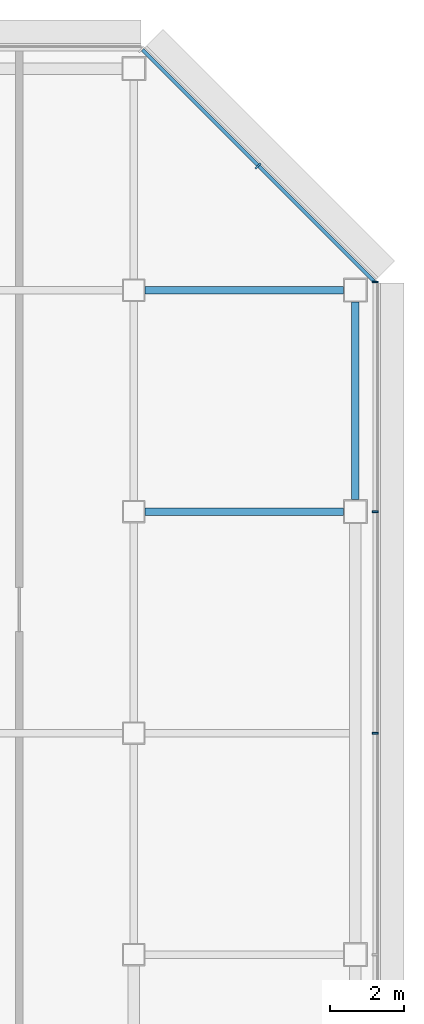
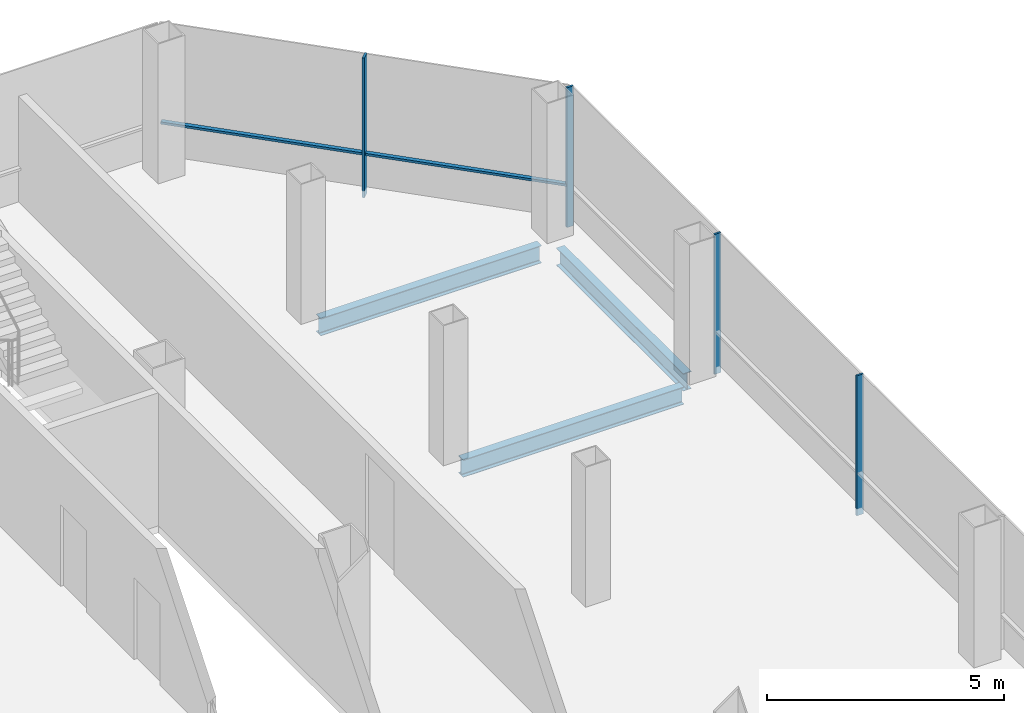
# One storey, part 18 of 26: 5 members, 3 beams, 2 elements without a shape of their own.
"""IFC4 building model written with IfcOpenShell, lengths in metres."""

from ifc_helpers import new_model, si_unit, direction, frame, origin, origin_2d, place, context, subcontext, project, spatial, rectangle, i_section, extrude, material, material_profile, profile_set, type_object, element, aggregate, save


model = new_model("IFC4")

# Units and contexts
model_context = context("Model", 3, precision=1e-05, world=origin(), true_north=direction((0.0, 1.0)))
body_context = subcontext(model_context, "Body", "Model", "MODEL_VIEW")
ifc_project = project(units=[si_unit("LENGTHUNIT", "METRE"), si_unit("AREAUNIT", "SQUARE_METRE"), si_unit("VOLUMEUNIT", "CUBIC_METRE"), si_unit("PLANEANGLEUNIT", "RADIAN"), si_unit("MASSUNIT", "GRAM", prefix="KILO")], contexts=[model_context])

# Site, building, storey
site_placement = place(None, origin())
site = spatial("IfcSite", under=ifc_project, at=site_placement, CompositionType="ELEMENT")
building_placement = place(site_placement, origin())
building = spatial("IfcBuilding", under=site, at=building_placement, Name="Sorahane Residences", CompositionType="ELEMENT")
storey_placement = place(building_placement, frame((0.0, 0.0, 219.0)))
storey = spatial("IfcBuildingStorey", under=building, at=storey_placement, Name="L51", CompositionType="ELEMENT", Elevation=219.0)

# Curtain wall, members
ifc_material_1 = material(Name="Dark low-e glass and black anodised aluminium", Category="aluminium")
curtain_wall_type_1 = type_object("IfcCurtainWallType", Name="Curtain wall CW-1 Typical unitised wall", PredefinedType="NOTDEFINED", material=ifc_material_1)
curtain_wall_1_placement = place(storey_placement, origin())
curtain_wall_1 = element("IfcCurtainWall", 1, at=curtain_wall_1_placement, inside=storey, type_object=curtain_wall_type_1, Name="CW-1 curtain wall L51 E1", PredefinedType="NOTDEFINED")
ifc_material_2 = material(Name="Black anodised aluminium", Category="aluminium")
ifc_material_profile_1 = material_profile(ifc_material_2, rectangle(XDim=0.159912109375, YDim=0.050048828125, at=origin_2d()), Name="Curtain wall mullion CW-1 black anodised aluminium 50x160")
ifc_profile_set_1 = profile_set([ifc_material_profile_1], Name="Black anodised aluminium")
member_type_1 = type_object("IfcMemberType", Name="Curtain wall mullion CW-1 black anodised aluminium 50x160", PredefinedType="MULLION", material=ifc_profile_set_1)
member_1_placement = place(storey_placement, frame((54.5400390625, 30.0, -0.179931640625), z_axis=(0.0, 0.0, 1.0), x_axis=(1.0, 0.0, 0.0)))
member_1 = element("IfcMember", 2, at=member_1_placement, type_object=member_type_1, Name="CW-1 mullion L51 E1.5", PredefinedType="MULLION", context=body_context, shape_type="SweptSolid", body=[
    extrude(rectangle(XDim=0.159912109375, YDim=0.050048828125, at=origin_2d()), origin(), (0.0, 0.0, 1.0), 3.599853515625),
])
member_2_placement = place(storey_placement, frame((54.5400390625, 36.0, -0.179931640625), z_axis=(0.0, 0.0, 1.0), x_axis=(1.0, 0.0, 0.0)))
member_2 = element("IfcMember", 3, at=member_2_placement, type_object=member_type_1, Name="CW-1 mullion L51 E1.6", PredefinedType="MULLION", context=body_context, shape_type="SweptSolid", body=[
    extrude(rectangle(XDim=0.159912109375, YDim=0.050048828125, at=origin_2d()), origin(), (0.0, 0.0, 1.0), 3.599853515625),
])
member_3_placement = place(storey_placement, frame((54.5400390625, 42.2236328125, -0.179931640625), z_axis=(0.0, 0.0, 1.0), x_axis=(1.0, 0.0, 0.0)))
member_3 = element("IfcMember", 4, at=member_3_placement, type_object=member_type_1, Name="CW-1 mullion L51 E1.7", PredefinedType="MULLION", context=body_context, shape_type="SweptSolid", body=[
    extrude(rectangle(XDim=0.159912109375, YDim=0.050048828125, at=origin_2d()), origin(), (0.0, 0.0, 1.0), 3.599853515625),
])
aggregate(curtain_wall_1, [member_1, member_2, member_3])

ifc_material_3 = material(Name="Dark low-e glass and black anodised aluminium", Category="aluminium")
curtain_wall_type_2 = type_object("IfcCurtainWallType", Name="Curtain wall CW-2 Chamfer unitised wall", PredefinedType="NOTDEFINED", material=ifc_material_3)
curtain_wall_2_placement = place(storey_placement, origin())
curtain_wall_2 = element("IfcCurtainWall", 5, at=curtain_wall_2_placement, inside=storey, type_object=curtain_wall_type_2, Name="CW-2 curtain wall L51 NE1", PredefinedType="NOTDEFINED")
ifc_material_4 = material(Name="Black anodised aluminium", Category="aluminium")
ifc_material_profile_2 = material_profile(ifc_material_4, rectangle(XDim=0.199951171875, YDim=0.050048828125, at=origin_2d()), Name="Curtain wall mullion CW-2 black anodised aluminium 50x200")
ifc_profile_set_2 = profile_set([ifc_material_profile_2], Name="Black anodised aluminium")
member_type_2 = type_object("IfcMemberType", Name="Curtain wall mullion CW-2 black anodised aluminium 50x200", PredefinedType="MULLION", material=ifc_profile_set_2)
member_4_placement = place(storey_placement, frame((51.36767578125, 45.36767578125, -0.179931640625), z_axis=(0.0, 0.0, 1.0), x_axis=(0.707106781187, 0.707106781187, 0.0)))
member_4 = element("IfcMember", 6, at=member_4_placement, type_object=member_type_2, Name="CW-2 mullion L51 NE1.2", PredefinedType="MULLION", context=body_context, shape_type="SweptSolid", body=[
    extrude(rectangle(XDim=0.199951171875, YDim=0.050048828125, at=origin_2d()), origin(), (0.0, 0.0, 1.0), 3.599853515625),
])
ifc_material_5 = material(Name="Black anodised aluminium", Category="aluminium")
ifc_material_profile_3 = material_profile(ifc_material_5, rectangle(XDim=0.10009765625, YDim=0.06005859375, at=origin_2d()), Name="Curtain wall transom CW-2 black anodised aluminium 60x100")
ifc_profile_set_3 = profile_set([ifc_material_profile_3], Name="Black anodised aluminium")
member_type_3 = type_object("IfcMemberType", Name="Curtain wall transom CW-2 black anodised aluminium 60x100", PredefinedType="USERDEFINED", material=ifc_profile_set_3)
member_5_placement = place(storey_placement, frame((54.51513671875, 42.234375, 0.89990234375), z_axis=(-0.707106781187, 0.707106781187, 0.0), x_axis=(-0.707106781187, -0.707106781187, 0.0)))
member_5 = element("IfcMember", 7, at=member_5_placement, type_object=member_type_3, Name="CW-2 transom L51 NE1", ObjectType="TRANSOM", PredefinedType="USERDEFINED", context=body_context, shape_type="SweptSolid", body=[
    extrude(rectangle(XDim=0.10009765625, YDim=0.06005859375, at=origin_2d()), origin(), (0.0, 0.0, 1.0), 8.88232421875),
])
aggregate(curtain_wall_2, [member_4, member_5])

# Beams
ifc_material_6 = material(Name="Steel Q355B", Category="steel")
ifc_material_profile_4 = material_profile(ifc_material_6, i_section(OverallWidth=0.199951171875, OverallDepth=0.449951171875, WebThickness=0.009033203125, FlangeThickness=0.013916015625, FilletRadius=0.02001953125, at=origin_2d()), Name="HN 450x200x9x14")
ifc_profile_set_4 = profile_set([ifc_material_profile_4], Name="Steel Q355B")
beam_type = type_object("IfcBeamType", Name="Steel floor beam HN 450x200x9x14 Q355B", PredefinedType="BEAM", material=ifc_profile_set_4)
beam_1_placement = place(storey_placement, frame((48.300048828125, 36.0, -0.405029296875), z_axis=(1.0, 0.0, 0.0), x_axis=(0.0, 1.0, 0.0)))
element("IfcBeam", 8, at=beam_1_placement, inside=storey, type_object=beam_type, Name="Beam L51 014", PredefinedType="BEAM", context=body_context, shape_type="SweptSolid", body=[
    extrude(i_section(OverallWidth=0.199951171875, OverallDepth=0.449951171875, WebThickness=0.009033203125, FlangeThickness=0.013916015625, FilletRadius=0.02001953125, at=origin_2d()), origin(), (0.0, 0.0, 1.0), 5.375),
])
beam_2_placement = place(storey_placement, frame((54.0, 36.324951171875, -0.405029296875), z_axis=(0.0, 1.0, 0.0), x_axis=(-1.0, 0.0, 0.0)))
element("IfcBeam", 9, at=beam_2_placement, inside=storey, type_object=beam_type, Name="Beam L51 067", PredefinedType="BEAM", context=body_context, shape_type="SweptSolid", body=[
    extrude(i_section(OverallWidth=0.199951171875, OverallDepth=0.449951171875, WebThickness=0.009033203125, FlangeThickness=0.013916015625, FilletRadius=0.02001953125, at=origin_2d()), origin(), (0.0, 0.0, 1.0), 5.35009765625),
])
beam_3_placement = place(storey_placement, frame((48.300048828125, 42.0, -0.405029296875), z_axis=(1.0, 0.0, 0.0), x_axis=(0.0, 1.0, 0.0)))
element("IfcBeam", 10, at=beam_3_placement, inside=storey, type_object=beam_type, Name="Beam L51 092", PredefinedType="BEAM", context=body_context, shape_type="SweptSolid", body=[
    extrude(i_section(OverallWidth=0.199951171875, OverallDepth=0.449951171875, WebThickness=0.009033203125, FlangeThickness=0.013916015625, FilletRadius=0.02001953125, at=origin_2d()), origin(), (0.0, 0.0, 1.0), 5.375),
])

save(model, "model.ifc")
